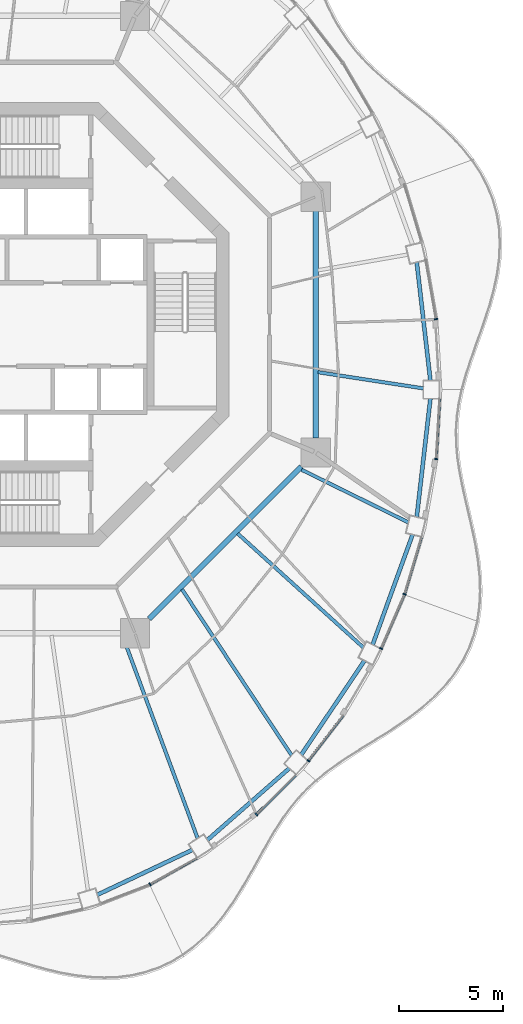
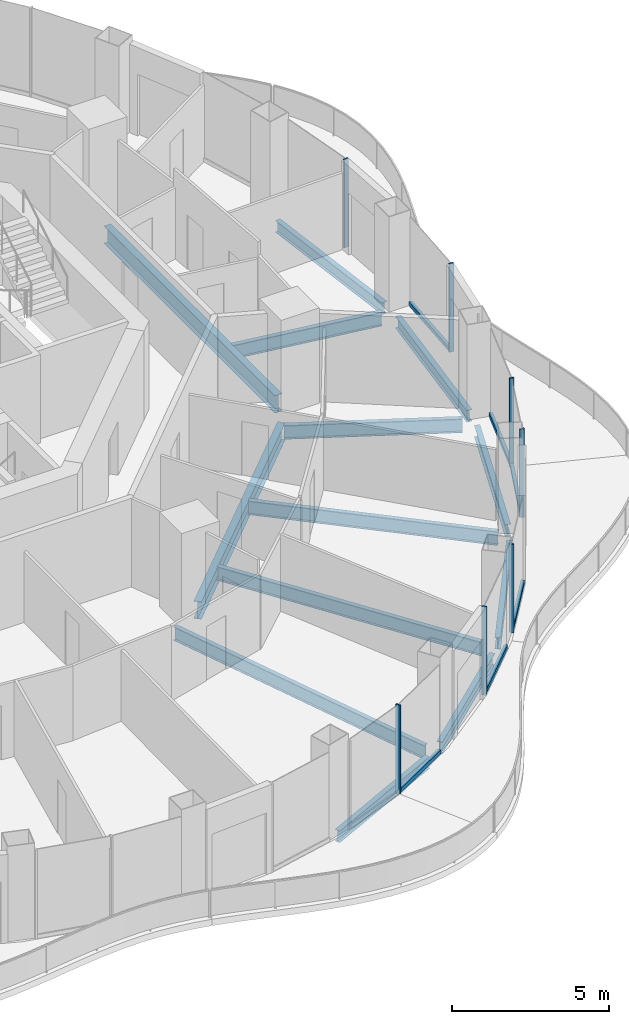
# One storey, part 4 of 17: 13 beams, 13 members, 7 elements without a shape of their own.
"""IFC4 building model written with IfcOpenShell, lengths in metres."""

from ifc_helpers import new_model, si_unit, direction, frame, origin, origin_2d, place, context, subcontext, project, spatial, rectangle, i_section, extrude, material, layer, layer_set, material_profile, profile_set, type_object, element, aggregate, save


model = new_model("IFC4")

# Units and contexts
model_context = context("Model", 3, precision=1e-05, world=origin(), true_north=direction((0.0, 1.0)))
body_context = subcontext(model_context, "Body", "Model", "MODEL_VIEW")
ifc_project = project(units=[si_unit("LENGTHUNIT", "METRE"), si_unit("AREAUNIT", "SQUARE_METRE"), si_unit("VOLUMEUNIT", "CUBIC_METRE"), si_unit("PLANEANGLEUNIT", "RADIAN"), si_unit("MASSUNIT", "GRAM", prefix="KILO")], contexts=[model_context])

# Site, building, storey
site_placement = place(None, origin())
site = spatial("IfcSite", under=ifc_project, at=site_placement, CompositionType="ELEMENT")
building_placement = place(site_placement, origin())
building = spatial("IfcBuilding", under=site, at=building_placement, Name="Nagisa Residences", CompositionType="ELEMENT")
storey_placement = place(building_placement, frame((0.0, 0.0, 262.199951171875)))
storey = spatial("IfcBuildingStorey", under=building, at=storey_placement, Name="L66", CompositionType="ELEMENT", Elevation=262.199951171875)

# Curtain wall, member
ifc_material_1 = material(Name="Concrete-coloured aluminium curtain wall system", Category="concrete")
ifc_layer = layer(ifc_material_1, 0.159912109375)
ifc_layer_set = layer_set([ifc_layer], Name="CW1 CURTAIN WALL")
curtain_wall_type = type_object("IfcCurtainWallType", Name="CW1 CURTAIN WALL", PredefinedType="NOTDEFINED", material=ifc_layer_set)
curtain_wall_1_placement = place(storey_placement, origin())
curtain_wall_1 = element("IfcCurtainWall", 1, at=curtain_wall_1_placement, inside=storey, type_object=curtain_wall_type, Name="cw:CW1:L66:01", PredefinedType="NOTDEFINED")
ifc_material_2 = material(Name="Concrete-coloured aluminium", Category="concrete")
ifc_material_profile_1 = material_profile(ifc_material_2, rectangle(XDim=0.159912109375, YDim=0.06005859375, at=origin_2d()), Name="CW1 MULLION 160x60")
ifc_profile_set_1 = profile_set([ifc_material_profile_1], Name="Concrete-coloured aluminium")
member_type_1 = type_object("IfcMemberType", Name="CW1 MULLION 160x60", PredefinedType="MULLION", material=ifc_profile_set_1)
member_1_placement = place(storey_placement, frame((20.54248046875, 0.2578125, 0.0), z_axis=(0.0, 0.0, 1.0), x_axis=(-0.985063604377, -0.172190868898, 0.0)))
member_1 = element("IfcMember", 2, at=member_1_placement, type_object=member_type_1, Name="CW1 mullion", PredefinedType="MULLION", context=body_context, shape_type="SweptSolid", body=[
    extrude(rectangle(XDim=0.159912109375, YDim=0.06005859375, at=origin_2d()), origin(), (0.0, 0.0, 1.0), 3.43994140625),
])
aggregate(curtain_wall_1, [member_1])

curtain_wall_2_placement = place(storey_placement, origin())
curtain_wall_2 = element("IfcCurtainWall", 3, at=curtain_wall_2_placement, inside=storey, type_object=curtain_wall_type, Name="cw:CW1:L66:39", PredefinedType="NOTDEFINED")
member_2_placement = place(storey_placement, frame((6.84326171875, -26.81396484375, 0.0), z_axis=(0.0, 0.0, 1.0), x_axis=(-0.489376918501, 0.872072377523, 0.0)))
member_2 = element("IfcMember", 4, at=member_2_placement, type_object=member_type_1, Name="CW1 mullion", PredefinedType="MULLION", context=body_context, shape_type="SweptSolid", body=[
    extrude(rectangle(XDim=0.159912109375, YDim=0.06005859375, at=origin_2d()), origin(), (0.0, 0.0, 1.0), 3.43994140625),
])

curtain_wall_3_placement = place(storey_placement, origin())
curtain_wall_3 = element("IfcCurtainWall", 5, at=curtain_wall_3_placement, inside=storey, type_object=curtain_wall_type, Name="cw:CW1:L66:41", PredefinedType="NOTDEFINED")
member_3_placement = place(storey_placement, frame((11.934814453125, -23.460693359375, 0.0), z_axis=(0.0, 0.0, 1.0), x_axis=(-0.706376885714, 0.707835924016, 0.0)))
member_3 = element("IfcMember", 6, at=member_3_placement, type_object=member_type_1, Name="CW1 mullion", PredefinedType="MULLION", context=body_context, shape_type="SweptSolid", body=[
    extrude(rectangle(XDim=0.159912109375, YDim=0.06005859375, at=origin_2d()), origin(), (0.0, 0.0, 1.0), 3.43994140625),
])

curtain_wall_4_placement = place(storey_placement, origin())
curtain_wall_4 = element("IfcCurtainWall", 7, at=curtain_wall_4_placement, inside=storey, type_object=curtain_wall_type, Name="cw:CW1:L66:42", PredefinedType="NOTDEFINED")
member_4_placement = place(storey_placement, frame((14.42431640625, -20.8896484375, 0.0), z_axis=(0.0, 0.0, 1.0), x_axis=(-0.792070340816, 0.610429828235, 0.0)))
member_4 = element("IfcMember", 8, at=member_4_placement, type_object=member_type_1, Name="CW1 mullion", PredefinedType="MULLION", context=body_context, shape_type="SweptSolid", body=[
    extrude(rectangle(XDim=0.159912109375, YDim=0.06005859375, at=origin_2d()), origin(), (0.0, 0.0, 1.0), 3.43994140625),
])

curtain_wall_5_placement = place(storey_placement, origin())
curtain_wall_5 = element("IfcCurtainWall", 9, at=curtain_wall_5_placement, inside=storey, type_object=curtain_wall_type, Name="cw:CW1:L66:44", PredefinedType="NOTDEFINED")
member_5_placement = place(storey_placement, frame((17.906982421875, -15.515380859375, 0.0), z_axis=(0.0, 0.0, 1.0), x_axis=(-0.917543276295, 0.397635934147, 0.0)))
member_5 = element("IfcMember", 10, at=member_5_placement, type_object=member_type_1, Name="CW1 mullion", PredefinedType="MULLION", context=body_context, shape_type="SweptSolid", body=[
    extrude(rectangle(XDim=0.159912109375, YDim=0.06005859375, at=origin_2d()), origin(), (0.0, 0.0, 1.0), 3.43994140625),
])

curtain_wall_6_placement = place(storey_placement, origin())
curtain_wall_6 = element("IfcCurtainWall", 11, at=curtain_wall_6_placement, inside=storey, type_object=curtain_wall_type, Name="cw:CW1:L66:45", PredefinedType="NOTDEFINED")
member_6_placement = place(storey_placement, frame((19.030029296875, -12.916259765625, 0.0), z_axis=(0.0, 0.0, 1.0), x_axis=(-0.958271310082, 0.285860274038, 0.0)))
member_6 = element("IfcMember", 12, at=member_6_placement, type_object=member_type_1, Name="CW1 mullion", PredefinedType="MULLION", context=body_context, shape_type="SweptSolid", body=[
    extrude(rectangle(XDim=0.159912109375, YDim=0.06005859375, at=origin_2d()), origin(), (0.0, 0.0, 1.0), 3.43994140625),
])

curtain_wall_7_placement = place(storey_placement, origin())
curtain_wall_7 = element("IfcCurtainWall", 13, at=curtain_wall_7_placement, inside=storey, type_object=curtain_wall_type, Name="cw:CW1:L66:47", PredefinedType="NOTDEFINED")
member_7_placement = place(storey_placement, frame((20.54833984375, -6.44287109375, 0.0), z_axis=(0.0, 0.0, 1.0), x_axis=(-0.998345305184, 0.057503492216, 0.0)))
member_7 = element("IfcMember", 14, at=member_7_placement, type_object=member_type_1, Name="CW1 mullion", PredefinedType="MULLION", context=body_context, shape_type="SweptSolid", body=[
    extrude(rectangle(XDim=0.159912109375, YDim=0.06005859375, at=origin_2d()), origin(), (0.0, 0.0, 1.0), 3.43994140625),
])

# Member
ifc_material_3 = material(Name="Concrete-coloured aluminium", Category="concrete")
ifc_material_profile_2 = material_profile(ifc_material_3, rectangle(XDim=0.1201171875, YDim=0.14990234375, at=origin_2d()), Name="CW1 TRANSOM 120x150")
ifc_profile_set_2 = profile_set([ifc_material_profile_2], Name="Concrete-coloured aluminium")
member_type_2 = type_object("IfcMemberType", Name="CW1 TRANSOM 120x150", PredefinedType="USERDEFINED", material=ifc_profile_set_2)
member_8_placement = place(storey_placement, frame((6.817138671875, -26.82861328125, 0.074951171875), z_axis=(0.872052877201, 0.489411666561, 0.0), x_axis=(-0.489411666561, 0.872052877201, 0.0)))
member_8 = element("IfcMember", 15, at=member_8_placement, type_object=member_type_2, Name="CW1 transom", ObjectType="TRANSOM", PredefinedType="USERDEFINED", context=body_context, shape_type="SweptSolid", body=[
    extrude(rectangle(XDim=0.1201171875, YDim=0.14990234375, at=origin_2d()), origin(), (0.0, 0.0, 1.0), 2.593017578125),
])

aggregate(curtain_wall_2, [member_2, member_8])

member_9_placement = place(storey_placement, frame((11.91357421875, -23.48193359375, 0.074951171875), z_axis=(0.707876975297, 0.706335747251, 0.0), x_axis=(-0.706335747251, 0.707876975297, 0.0)))
member_9 = element("IfcMember", 16, at=member_9_placement, type_object=member_type_2, Name="CW1 transom", ObjectType="TRANSOM", PredefinedType="USERDEFINED", context=body_context, shape_type="SweptSolid", body=[
    extrude(rectangle(XDim=0.1201171875, YDim=0.14990234375, at=origin_2d()), origin(), (0.0, 0.0, 1.0), 2.69287109375),
])

aggregate(curtain_wall_3, [member_3, member_9])

member_10_placement = place(storey_placement, frame((14.406005859375, -20.913330078125, 0.074951171875), z_axis=(0.610432336622, 0.792068407656, 0.0), x_axis=(-0.792068407656, 0.610432336622, 0.0)))
member_10 = element("IfcMember", 17, at=member_10_placement, type_object=member_type_2, Name="CW1 transom", ObjectType="TRANSOM", PredefinedType="USERDEFINED", context=body_context, shape_type="SweptSolid", body=[
    extrude(rectangle(XDim=0.1201171875, YDim=0.14990234375, at=origin_2d()), origin(), (0.0, 0.0, 1.0), 2.74609375),
])

aggregate(curtain_wall_4, [member_4, member_10])

member_11_placement = place(storey_placement, frame((17.89501953125, -15.54296875, 0.074951171875), z_axis=(0.397597791596, 0.9175598052, 0.0), x_axis=(-0.9175598052, 0.397597791596, 0.0)))
member_11 = element("IfcMember", 18, at=member_11_placement, type_object=member_type_2, Name="CW1 transom", ObjectType="TRANSOM", PredefinedType="USERDEFINED", context=body_context, shape_type="SweptSolid", body=[
    extrude(rectangle(XDim=0.1201171875, YDim=0.14990234375, at=origin_2d()), origin(), (0.0, 0.0, 1.0), 2.841064453125),
])

aggregate(curtain_wall_5, [member_5, member_11])

member_12_placement = place(storey_placement, frame((19.021484375, -12.945068359375, 0.074951171875), z_axis=(0.285876209024, 0.9582665564, 0.0), x_axis=(-0.9582665564, 0.285876209024, 0.0)))
member_12 = element("IfcMember", 19, at=member_12_placement, type_object=member_type_2, Name="CW1 transom", ObjectType="TRANSOM", PredefinedType="USERDEFINED", context=body_context, shape_type="SweptSolid", body=[
    extrude(rectangle(XDim=0.1201171875, YDim=0.14990234375, at=origin_2d()), origin(), (0.0, 0.0, 1.0), 2.877197265625),
])

aggregate(curtain_wall_6, [member_6, member_12])

member_13_placement = place(storey_placement, frame((20.546630859375, -6.472900390625, 0.074951171875), z_axis=(0.057529123486, 0.998343828524, 0.0), x_axis=(-0.998343828524, 0.057529123486, 0.0)))
member_13 = element("IfcMember", 20, at=member_13_placement, type_object=member_type_2, Name="CW1 transom", ObjectType="TRANSOM", PredefinedType="USERDEFINED", context=body_context, shape_type="SweptSolid", body=[
    extrude(rectangle(XDim=0.1201171875, YDim=0.14990234375, at=origin_2d()), origin(), (0.0, 0.0, 1.0), 2.91552734375),
])

aggregate(curtain_wall_7, [member_7, member_13])

# Beams
ifc_material_4 = material(Name="Steel ASTM A572 Gr 50", Category="steel")
ifc_material_profile_3 = material_profile(ifc_material_4, i_section(OverallWidth=0.2529296875, OverallDepth=0.677978515625, WebThickness=0.01171875, FlangeThickness=0.016357421875, at=origin_2d()), Name="W690x125")
ifc_profile_set_3 = profile_set([ifc_material_profile_3], Name="Steel ASTM A572 Gr 50")
beam_type_1 = type_object("IfcBeamType", Name="Inner ring beam W690x125", PredefinedType="BEAM", material=ifc_profile_set_3)
beam_1_placement = place(storey_placement, frame((6.808837890625, -14.09619140625, -0.598876953125), z_axis=(0.707106781187, 0.707106781187, 0.0), x_axis=(-0.707106781187, 0.707106781187, 0.0)))
element("IfcBeam", 21, at=beam_1_placement, inside=storey, type_object=beam_type_1, Name="beam:L66:ib7", PredefinedType="BEAM", context=body_context, shape_type="SweptSolid", body=[
    extrude(i_section(OverallWidth=0.2529296875, OverallDepth=0.677978515625, WebThickness=0.01171875, FlangeThickness=0.016357421875, at=origin_2d()), origin(), (0.0, 0.0, 1.0), 10.305908203125),
])
beam_2_placement = place(storey_placement, frame((14.781982421875, -5.44287109375, -0.598876953125), z_axis=(0.0, 1.0, 0.0), x_axis=(-1.0, 0.0, 0.0)))
element("IfcBeam", 22, at=beam_2_placement, inside=storey, type_object=beam_type_1, Name="beam:L66:ib8", PredefinedType="BEAM", context=body_context, shape_type="SweptSolid", body=[
    extrude(i_section(OverallWidth=0.2529296875, OverallDepth=0.677978515625, WebThickness=0.01171875, FlangeThickness=0.016357421875, at=origin_2d()), origin(), (0.0, 0.0, 1.0), 10.8857421875),
])
ifc_material_5 = material(Name="Steel ASTM A572 Gr 50", Category="steel")
ifc_material_profile_4 = material_profile(ifc_material_5, i_section(OverallWidth=0.18994140625, OverallDepth=0.45703125, WebThickness=0.009033203125, FlangeThickness=0.014404296875, at=origin_2d()), Name="W460x74")
ifc_profile_set_4 = profile_set([ifc_material_profile_4], Name="Steel ASTM A572 Gr 50")
beam_type_2 = type_object("IfcBeamType", Name="Perimeter ring beam W460x74", PredefinedType="BEAM", material=ifc_profile_set_4)
beam_3_placement = place(storey_placement, frame((20.270263671875, -2.6875, -0.488525390625), z_axis=(-0.114593271741, 0.993412493414, 0.0), x_axis=(-0.993412493414, -0.114593271741, 0.0)))
element("IfcBeam", 23, at=beam_3_placement, inside=storey, type_object=beam_type_2, Name="beam:L66:pb01", PredefinedType="BEAM", context=body_context, shape_type="SweptSolid", body=[
    extrude(i_section(OverallWidth=0.18994140625, OverallDepth=0.45703125, WebThickness=0.009033203125, FlangeThickness=0.014404296875, at=origin_2d()), origin(), (0.0, 0.0, 1.0), 5.709716796875),
])
beam_4_placement = place(storey_placement, frame((4.318115234375, -27.311767578125, -0.488525390625), z_axis=(0.904115893837, 0.427287316113, 0.0), x_axis=(-0.427287316113, 0.904115893837, 0.0)))
element("IfcBeam", 24, at=beam_4_placement, inside=storey, type_object=beam_type_2, Name="beam:L66:pb20", PredefinedType="BEAM", context=body_context, shape_type="SweptSolid", body=[
    extrude(i_section(OverallWidth=0.18994140625, OverallDepth=0.45703125, WebThickness=0.009033203125, FlangeThickness=0.014404296875, at=origin_2d()), origin(), (0.0, 0.0, 1.0), 5.031494140625),
])
beam_5_placement = place(storey_placement, frame((9.586669921875, -24.690185546875, -0.488525390625), z_axis=(0.752385480596, 0.658723074279, 0.0), x_axis=(-0.658723074279, 0.752385480596, 0.0)))
element("IfcBeam", 25, at=beam_5_placement, inside=storey, type_object=beam_type_2, Name="beam:L66:pb21", PredefinedType="BEAM", context=body_context, shape_type="SweptSolid", body=[
    extrude(i_section(OverallWidth=0.18994140625, OverallDepth=0.45703125, WebThickness=0.009033203125, FlangeThickness=0.014404296875, at=origin_2d()), origin(), (0.0, 0.0, 1.0), 5.220947265625),
])
beam_6_placement = place(storey_placement, frame((14.083251953125, -20.605224609375, -0.488525390625), z_axis=(0.558045612854, 0.829810275891, 0.0), x_axis=(-0.829810275891, 0.558045612854, 0.0)))
element("IfcBeam", 26, at=beam_6_placement, inside=storey, type_object=beam_type_2, Name="beam:L66:pb22", PredefinedType="BEAM", context=body_context, shape_type="SweptSolid", body=[
    extrude(i_section(OverallWidth=0.18994140625, OverallDepth=0.45703125, WebThickness=0.009033203125, FlangeThickness=0.014404296875, at=origin_2d()), origin(), (0.0, 0.0, 1.0), 5.432373046875),
])
beam_7_placement = place(storey_placement, frame((17.50439453125, -15.330322265625, -0.488525390625), z_axis=(0.341211850477, 0.93998642176, 0.0), x_axis=(-0.93998642176, 0.341211850477, 0.0)))
element("IfcBeam", 27, at=beam_7_placement, inside=storey, type_object=beam_type_2, Name="beam:L66:pb23", PredefinedType="BEAM", context=body_context, shape_type="SweptSolid", body=[
    extrude(i_section(OverallWidth=0.18994140625, OverallDepth=0.45703125, WebThickness=0.009033203125, FlangeThickness=0.014404296875, at=origin_2d()), origin(), (0.0, 0.0, 1.0), 5.609619140625),
])
beam_8_placement = place(storey_placement, frame((19.615966796875, -9.219970703125, -0.488525390625), z_axis=(0.114593271741, 0.993412493414, 0.0), x_axis=(-0.993412493414, 0.114593271741, 0.0)))
element("IfcBeam", 28, at=beam_8_placement, inside=storey, type_object=beam_type_2, Name="beam:L66:pb24", PredefinedType="BEAM", context=body_context, shape_type="SweptSolid", body=[
    extrude(i_section(OverallWidth=0.18994140625, OverallDepth=0.45703125, WebThickness=0.009033203125, FlangeThickness=0.014404296875, at=origin_2d()), origin(), (0.0, 0.0, 1.0), 5.709716796875),
])
ifc_material_6 = material(Name="Steel ASTM A572 Gr 50", Category="steel")
ifc_material_profile_5 = material_profile(ifc_material_6, i_section(OverallWidth=0.166015625, OverallDepth=0.534912109375, WebThickness=0.01025390625, FlangeThickness=0.0166015625, at=origin_2d()), Name="W530x85")
ifc_profile_set_5 = profile_set([ifc_material_profile_5], Name="Steel ASTM A572 Gr 50")
beam_type_3 = type_object("IfcBeamType", Name="Radial beam W530x85", PredefinedType="BEAM", material=ifc_profile_set_5)
beam_9_placement = place(storey_placement, frame((19.939697265625, -3.059326171875, -0.52734375), z_axis=(-0.988434580655, 0.151647880849, 0.0), x_axis=(-0.151647880849, -0.988434580655, 0.0)))
element("IfcBeam", 29, at=beam_9_placement, inside=storey, type_object=beam_type_3, Name="beam:L66:rb01", PredefinedType="BEAM", context=body_context, shape_type="SweptSolid", body=[
    extrude(i_section(OverallWidth=0.166015625, OverallDepth=0.534912109375, WebThickness=0.01025390625, FlangeThickness=0.0166015625, at=origin_2d()), origin(), (0.0, 0.0, 1.0), 5.10986328125),
])
beam_10_placement = place(storey_placement, frame((9.124267578125, -24.610107421875, -0.52734375), z_axis=(-0.347626513472, 0.93763308769, 0.0), x_axis=(-0.93763308769, -0.347626513472, 0.0)))
element("IfcBeam", 30, at=beam_10_placement, inside=storey, type_object=beam_type_3, Name="beam:L66:rb21", PredefinedType="BEAM", context=body_context, shape_type="SweptSolid", body=[
    extrude(i_section(OverallWidth=0.166015625, OverallDepth=0.534912109375, WebThickness=0.01025390625, FlangeThickness=0.0166015625, at=origin_2d()), origin(), (0.0, 0.0, 1.0), 10.36669921875),
])
beam_11_placement = place(storey_placement, frame((13.623779296875, -20.6357421875, -0.52734375), z_axis=(-0.550958197916, 0.834532841864, 0.0), x_axis=(-0.834532841864, -0.550958197916, 0.0)))
element("IfcBeam", 31, at=beam_11_placement, inside=storey, type_object=beam_type_3, Name="beam:L66:rb22", PredefinedType="BEAM", context=body_context, shape_type="SweptSolid", body=[
    extrude(i_section(OverallWidth=0.166015625, OverallDepth=0.534912109375, WebThickness=0.01025390625, FlangeThickness=0.0166015625, at=origin_2d()), origin(), (0.0, 0.0, 1.0), 9.52978515625),
])
beam_12_placement = place(storey_placement, frame((17.064208984375, -15.47265625, -0.52734375), z_axis=(-0.740818788558, 0.671704937096, 0.0), x_axis=(-0.671704937096, -0.740818788558, 0.0)))
element("IfcBeam", 32, at=beam_12_placement, inside=storey, type_object=beam_type_3, Name="beam:L66:rb23", PredefinedType="BEAM", context=body_context, shape_type="SweptSolid", body=[
    extrude(i_section(OverallWidth=0.166015625, OverallDepth=0.534912109375, WebThickness=0.01025390625, FlangeThickness=0.0166015625, at=origin_2d()), origin(), (0.0, 0.0, 1.0), 8.128173828125),
])
beam_13_placement = place(storey_placement, frame((19.216064453125, -9.4775390625, -0.52734375), z_axis=(-0.896862727732, 0.442308995618, 0.0), x_axis=(-0.442308995618, -0.896862727732, 0.0)))
element("IfcBeam", 33, at=beam_13_placement, inside=storey, type_object=beam_type_3, Name="beam:L66:rb24", PredefinedType="BEAM", context=body_context, shape_type="SweptSolid", body=[
    extrude(i_section(OverallWidth=0.166015625, OverallDepth=0.534912109375, WebThickness=0.01025390625, FlangeThickness=0.0166015625, at=origin_2d()), origin(), (0.0, 0.0, 1.0), 5.702392578125),
])

save(model, "model.ifc")
